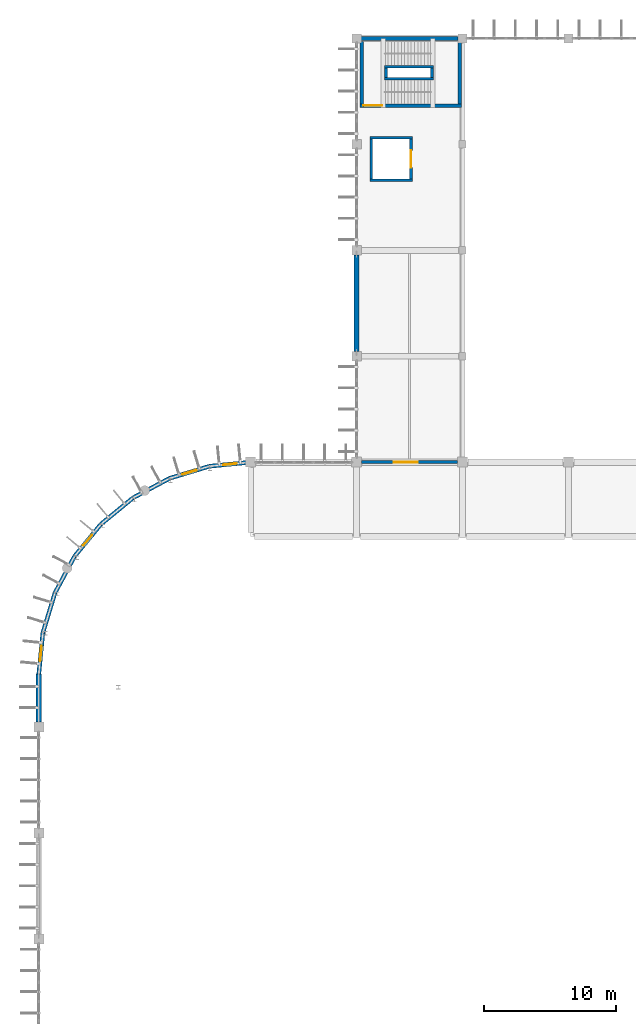
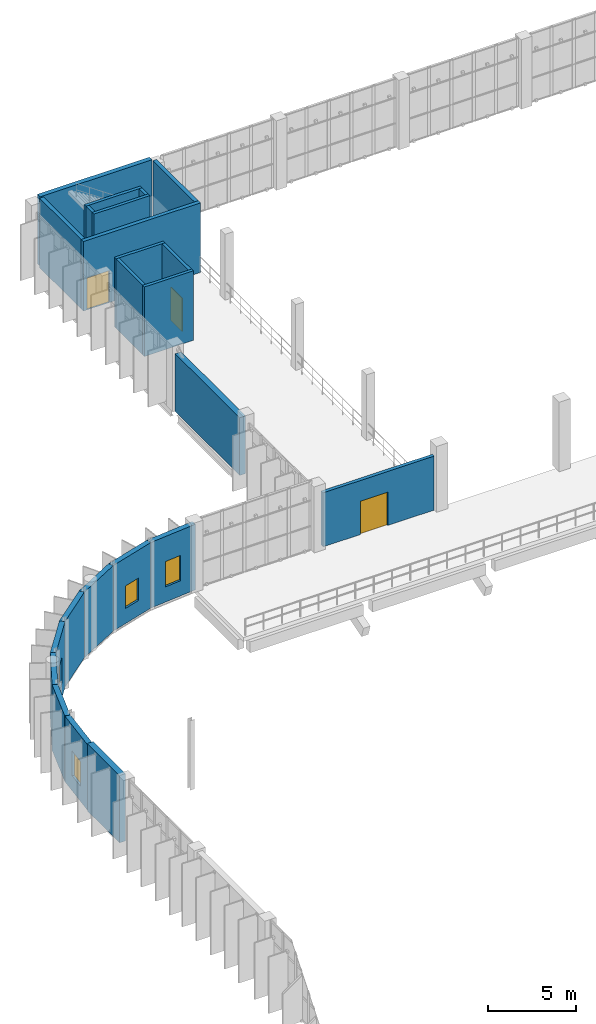
# One storey, part 71 of 93: 23 walls, 4 windows, 3 doors, 7 openings.
"""IFC4 building model written with IfcOpenShell, lengths in metres."""

import ifcopenshell
import ifcopenshell.guid

model = None  # the IFC model being written
_history = None  # IfcOwnerHistory: only IFC2X3 demands one
_inside = {}  # id of a spatial element -> (the spatial element, [elements in it])
_under = {}  # id of a project, library or spatial element -> (it, [spatial elements below it])
_declared = {}  # id of a project -> (the project, [libraries it declares])
_typed = {}  # id of a type object -> (the type object, [elements of that type])
_made_of = {}  # id of a material, layer set ... -> (it, [elements and type objects made of it])


def new_model(schema):
    """Start an empty IFC model of exactly this schema.

    Asked for "IFC4X3", IfcOpenShell would pick the latest addendum, in which some entities
    have other attributes; the version numbers below select the first issue.
    IFC2X3 requires an IfcOwnerHistory on every rooted entity: one is made here for all.
    """
    global model, _history
    if schema == "IFC4X3":
        model = ifcopenshell.file(schema_version=(4, 3, 0, 0))
    else:
        model = ifcopenshell.file(schema=schema)
    _inside.clear()
    _under.clear()
    _declared.clear()
    _typed.clear()
    _made_of.clear()
    _history = None
    if model.schema == "IFC2X3":
        org = make("IfcOrganization", Name="unknown")
        user = make(
            "IfcPersonAndOrganization",
            ThePerson=make("IfcPerson", FamilyName="unknown"),
            TheOrganization=org,
        )
        app = make(
            "IfcApplication",
            ApplicationDeveloper=org,
            Version="unknown",
            ApplicationFullName="unknown",
            ApplicationIdentifier="unknown",
        )
        _history = make(
            "IfcOwnerHistory",
            OwningUser=user,
            OwningApplication=app,
            ChangeAction="ADDED",
            CreationDate=0,
        )
    return model


def make(cls, **values):
    """One entity of the class cls with the attributes given. An attribute that is None is left unset."""
    return model.create_entity(
        cls, **{name: value for name, value in values.items() if value is not None}
    )


def rooted(cls, **values):
    """An entity with a GlobalId (a new one), such as an element, a storey or a relation."""
    return make(cls, GlobalId=ifcopenshell.guid.new(), OwnerHistory=_history, **values)


def si_unit(unit_type, name, prefix=None):
    """IfcSIUnit, for example si_unit("LENGTHUNIT", "METRE", prefix="MILLI")."""
    return make("IfcSIUnit", UnitType=unit_type, Prefix=prefix, Name=name)


def assignment(units):
    """IfcUnitAssignment: the units of a project."""
    return None if units is None else make("IfcUnitAssignment", Units=units)


def point(xyz):
    """IfcCartesianPoint."""
    return None if xyz is None else make("IfcCartesianPoint", Coordinates=xyz)


def direction(xyz):
    """IfcDirection."""
    return None if xyz is None else make("IfcDirection", DirectionRatios=xyz)


def frame(location, z_axis=None, x_axis=None):
    """IfcAxis2Placement3D, a coordinate frame: its origin and axes. An axis left out is left unset."""
    return make(
        "IfcAxis2Placement3D",
        Location=point(location),
        Axis=direction(z_axis),
        RefDirection=direction(x_axis),
    )


def frame_2d(location, x_axis=None):
    """IfcAxis2Placement2D, a coordinate frame in the plane: its origin and x axis."""
    return make(
        "IfcAxis2Placement2D", Location=point(location), RefDirection=direction(x_axis)
    )


def origin():
    """The frame at (0, 0, 0) with its axes left unset."""
    return frame((0.0, 0.0, 0.0))


def place(relative_to, where):
    """IfcLocalPlacement: puts the frame where relative to a parent placement (None: the world)."""
    return make(
        "IfcLocalPlacement", PlacementRelTo=relative_to, RelativePlacement=where
    )


def context(
    kind, dimensions, precision=None, world=None, true_north=None, identifier=None
):
    """IfcGeometricRepresentationContext, for example the 3D "Model" context."""
    return make(
        "IfcGeometricRepresentationContext",
        ContextIdentifier=identifier,
        ContextType=kind,
        CoordinateSpaceDimension=dimensions,
        Precision=precision,
        WorldCoordinateSystem=world,
        TrueNorth=true_north,
    )


def subcontext(parent, identifier, kind, view, scale=None):
    """IfcGeometricRepresentationSubContext, for example "Body" below "Model"."""
    return make(
        "IfcGeometricRepresentationSubContext",
        ContextIdentifier=identifier,
        ContextType=kind,
        ParentContext=parent,
        TargetScale=scale,
        TargetView=view,
    )


def project(units=None, contexts=None):
    """IfcProject with its units and contexts."""
    return rooted(
        "IfcProject",
        Name="project",
        RepresentationContexts=contexts,
        UnitsInContext=assignment(units),
    )


def spatial(cls, under=None, at=None, **own):
    """A site, building, storey or space (cls), placed at a placement, below another one or the project."""
    s = rooted(cls, ObjectPlacement=at, **own)
    if under is not None:
        _under.setdefault(under.id(), (under, []))[1].append(s)
    return s


def profile(cls, at=None, kind="AREA", **sizes):
    """A parametric profile (cls). Its sizes go by their IFC names, for example OverallWidth=200.0."""
    return make(cls, ProfileType=kind, Position=at, **sizes)


def rectangle(**sizes):
    """IfcRectangleProfileDef."""
    return profile("IfcRectangleProfileDef", **sizes)


def extrude(swept, where, along, depth):
    """IfcExtrudedAreaSolid: the profile swept, set in the frame where, extruded along a direction by depth."""
    return make(
        "IfcExtrudedAreaSolid",
        SweptArea=swept,
        Position=where,
        ExtrudedDirection=direction(along),
        Depth=depth,
    )


def shape(context_of_items, identifier, shape_type, items):
    """IfcShapeRepresentation: the items that make up one representation, for example the "Body"."""
    return make(
        "IfcShapeRepresentation",
        ContextOfItems=context_of_items,
        RepresentationIdentifier=identifier,
        RepresentationType=shape_type,
        Items=items,
    )


def material(Name=None, Category=None):
    """IfcMaterial."""
    return make("IfcMaterial", Name=Name, Category=Category)


def layer(
    of_material, thickness, ventilated=None, Name=None, Category=None, Priority=None
):
    """IfcMaterialLayer: one layer of a wall or slab, of a material (None: an air gap)."""
    return make(
        "IfcMaterialLayer",
        Material=of_material,
        LayerThickness=thickness,
        IsVentilated=ventilated,
        Name=Name,
        Category=Category,
        Priority=Priority,
    )


def layer_set(layers, Name=None):
    """IfcMaterialLayerSet."""
    return make("IfcMaterialLayerSet", MaterialLayers=layers, LayerSetName=Name)


def made_of(thing, what):
    """Note that an element or type object is made of a material, layer set ...; save() writes the relation."""
    if what is not None:
        _made_of.setdefault(what.id(), (what, []))[1].append(thing)
    return thing


def type_object(cls, material=None, **own):
    """A type object (cls), such as IfcWallType, which elements share."""
    return made_of(rooted(cls, **own), material)


def element(
    cls,
    number,
    at=None,
    inside=None,
    cuts=None,
    type_object=None,
    material=None,
    context=None,
    identifier="Body",
    shape_type=None,
    held_by="IfcProductDefinitionShape",
    body=None,
    shapes=None,
    **own,
):
    """One element of the class cls, such as IfcWall. Its Tag is "e" and its number.

    at: its placement. inside: the storey or other place that contains it. cuts: it is an
    opening in that element (IfcRelVoidsElement). A single representation is given by context,
    identifier, shape_type and body (its items); several are given by shapes. held_by: the class
    of the entity that holds the representations. save() writes the other relations.
    """
    e = rooted(cls, Tag="e%d" % number, ObjectPlacement=at, **own)
    if body is not None:
        shapes = [shape(context, identifier, shape_type, body)]
    if shapes is not None:
        e.Representation = make(held_by, Representations=shapes)
    if inside is not None:
        _inside.setdefault(inside.id(), (inside, []))[1].append(e)
    if cuts is not None:
        rooted(
            "IfcRelVoidsElement", RelatingBuildingElement=cuts, RelatedOpeningElement=e
        )
    if type_object is not None:
        _typed.setdefault(type_object.id(), (type_object, []))[1].append(e)
    return made_of(e, material)


def fill(opening, filler):
    """IfcRelFillsElement: the door or window that sits in an opening."""
    return rooted(
        "IfcRelFillsElement",
        RelatingOpeningElement=opening,
        RelatedBuildingElement=filler,
    )


def aggregate(whole, parts):
    """IfcRelAggregates: a whole, such as a stair, and the parts it consists of."""
    return rooted("IfcRelAggregates", RelatingObject=whole, RelatedObjects=parts)


def save(model, path):
    """Write the relations noted so far, then the file.

    IfcRelAggregates (storeys below a building ...), IfcRelContainedInSpatialStructure (elements
    in a storey), IfcRelDefinesByType, IfcRelAssociatesMaterial and IfcRelDeclares: one each for
    every whole, place, type object, material and project.
    """
    for whole, parts in _under.values():
        aggregate(whole, parts)
    for where, things in _inside.values():
        rooted(
            "IfcRelContainedInSpatialStructure",
            RelatedElements=things,
            RelatingStructure=where,
        )
    for kind, things in _typed.values():
        rooted("IfcRelDefinesByType", RelatedObjects=things, RelatingType=kind)
    for what, things in _made_of.values():
        rooted("IfcRelAssociatesMaterial", RelatedObjects=things, RelatingMaterial=what)
    for by, libraries in _declared.values():
        rooted("IfcRelDeclares", RelatingContext=by, RelatedDefinitions=libraries)
    model.write(path)


model = new_model("IFC4")

# Units and contexts
model_context = context("Model", 3, precision=1e-05, world=origin(), true_north=direction((0.0, 1.0)))
body_context = subcontext(model_context, "Body", "Model", "MODEL_VIEW")
ifc_project = project(units=[si_unit("LENGTHUNIT", "METRE"), si_unit("AREAUNIT", "SQUARE_METRE"), si_unit("VOLUMEUNIT", "CUBIC_METRE"), si_unit("PLANEANGLEUNIT", "RADIAN"), si_unit("MASSUNIT", "GRAM", prefix="KILO")], contexts=[model_context])

# Site, building, storey
site_placement = place(None, origin())
site = spatial("IfcSite", under=ifc_project, at=site_placement, CompositionType="ELEMENT")
building_placement = place(site_placement, origin())
building = spatial("IfcBuilding", under=site, at=building_placement, Name="Drelvana Railside Aquatics Centre", CompositionType="ELEMENT")
storey_placement = place(building_placement, frame((0.0, 0.0, 5.39990234375)))
storey = spatial("IfcBuildingStorey", under=building, at=storey_placement, Name="L01", CompositionType="ELEMENT", Elevation=5.39990234375)

# Wall, opening, door
ifc_material_1 = material(Name="Autoclaved aerated concrete masonry", Category="masonry")
ifc_layer_1 = layer(ifc_material_1, 0.22509765625, Name="Autoclaved aerated concrete masonry")
ifc_layer_set_1 = layer_set([ifc_layer_1], Name="Autoclaved aerated concrete masonry")
wall_type_1 = type_object("IfcWallType", Name="WL-COMP-225", PredefinedType="STANDARD", material=ifc_layer_set_1)
wall_1_placement = place(storey_placement, frame((24.376953125, 84.0, 0.0), z_axis=(0.0, 0.0, 1.0), x_axis=(1.0, 0.0, 0.0)))
wall_1 = element("IfcWall", 1, at=wall_1_placement, inside=storey, type_object=wall_type_1, Name="L01 Diving gallery compartment wall", PredefinedType="STANDARD", context=body_context, shape_type="SweptSolid", body=[
    extrude(rectangle(XDim=7.24609375, YDim=0.22509765625, at=frame_2d((3.623046875, 0.0))), origin(), (0.0, 0.0, 1.0), 3.72998046875),
])
opening_1_placement = place(wall_1_placement, frame((2.423095703125, 0.0, 0.0)))
opening_1 = element("IfcOpeningElement", 2, at=opening_1_placement, cuts=wall_1, Name="Opening D-05-098", PredefinedType="OPENING", context=body_context, shape_type="SweptSolid", body=[
    extrude(rectangle(XDim=1.800048828125, YDim=2.300048828125, at=frame_2d((0.89990234375, 1.14990234375))), frame((0.0, 0.12255859375, 0.0), z_axis=(0.0, -1.0, 0.0), x_axis=(1.0, 0.0, 0.0)), (0.0, 0.0, 1.0), 0.2451171875),
])
ifc_material_2 = material(Name="Corridor compartment double door", Category="wood")
door_type_1 = type_object("IfcDoorType", Name="DR-INT-COMP-1800x2300", OperationType="DOUBLE_DOOR_SINGLE_SWING", PredefinedType="DOOR", material=ifc_material_2)
door_1_placement = place(opening_1_placement, origin())
door_1 = element("IfcDoor", 3, at=door_1_placement, inside=storey, type_object=door_type_1, Name="Diving spectator gallery link door D-05-098", OperationType="DOUBLE_DOOR_SINGLE_SWING", OverallHeight=2.300048828125, OverallWidth=1.800048828125, PredefinedType="DOOR", context=body_context, shape_type="SweptSolid", body=[
    extrude(rectangle(XDim=1.800048828125, YDim=2.300048828125, at=frame_2d((0.89990234375, 1.14990234375))), frame((0.0, 0.02490234375, 0.0), z_axis=(0.0, -1.0, 0.0), x_axis=(1.0, 0.0, 0.0)), (0.0, 0.0, 1.0), 0.050048828125),
])
fill(opening_1, door_1)

ifc_material_3 = material(Name="Concrete C40/50", Category="concrete")
ifc_layer_2 = layer(ifc_material_3, 0.25, Name="Concrete C40/50")
ifc_layer_set_2 = layer_set([ifc_layer_2], Name="Concrete C40/50")
wall_type_2 = type_object("IfcWallType", Name="WL-CORE-250", PredefinedType="SHEAR", material=ifc_layer_set_2)
wall_2_placement = place(storey_placement, frame((24.25, 110.925048828125, 0.0), z_axis=(0.0, 0.0, 1.0), x_axis=(1.0, 0.0, 0.0)))
wall_2 = element("IfcWall", 4, at=wall_2_placement, inside=storey, type_object=wall_type_2, Name="Core 3 North Diving Hall S core wall (L01)", PredefinedType="SHEAR", context=body_context, shape_type="SweptSolid", body=[
    extrude(rectangle(XDim=7.64990234375, YDim=0.25, at=frame_2d((3.824951171875, 0.0))), origin(), (0.0, 0.0, 1.0), 4.800048828125),
])
opening_2_placement = place(wall_2_placement, frame((0.25, 0.0, 0.0)))
opening_2 = element("IfcOpeningElement", 5, at=opening_2_placement, cuts=wall_2, Name="Opening D-01-019", PredefinedType="OPENING", context=body_context, shape_type="SweptSolid", body=[
    extrude(rectangle(XDim=1.449951171875, YDim=2.199951171875, at=frame_2d((0.72509765625, 1.10009765625))), frame((0.0, 0.135009765625, 0.0), z_axis=(0.0, -1.0, 0.0), x_axis=(1.0, 0.0, 0.0)), (0.0, 0.0, 1.0), 0.27001953125),
])
ifc_material_4 = material(Name="Fire-rated steel and vision-panel door", Category="steel")
door_type_2 = type_object("IfcDoorType", Name="DR-INT-STAIR-1450x2200", OperationType="DOUBLE_DOOR_SINGLE_SWING", PredefinedType="DOOR", material=ifc_material_4)
door_2_placement = place(opening_2_placement, origin())
door_2 = element("IfcDoor", 6, at=door_2_placement, inside=storey, type_object=door_type_2, Name="Stair ST-03 lobby door D-01-019", OperationType="DOUBLE_DOOR_SINGLE_SWING", OverallHeight=2.199951171875, OverallWidth=1.449951171875, PredefinedType="DOOR", context=body_context, shape_type="SweptSolid", body=[
    extrude(rectangle(XDim=1.449951171875, YDim=2.199951171875, at=frame_2d((0.72509765625, 1.10009765625))), frame((0.0, 0.02490234375, 0.0), z_axis=(0.0, -1.0, 0.0), x_axis=(1.0, 0.0, 0.0)), (0.0, 0.0, 1.0), 0.050048828125),
])
fill(opening_2, door_2)

# Walls
for number, where, z_axis, x_axis, name in (
    (7, (24.375, 111.050048828125, 0.0), (0.0, 0.0, 1.0), (0.0, 1.0, 0.0), "Core 3 North Diving Hall W core wall (L01)"),
    (8, (31.77490234375, 111.050048828125, 0.0), (0.0, 0.0, 1.0), (0.0, 1.0, 0.0), "Core 3 North Diving Hall E core wall (L01)"),
):
    element("IfcWall", number, at=place(storey_placement, frame(where, z_axis=z_axis, x_axis=x_axis)), inside=storey, type_object=wall_type_2, Name=name, PredefinedType="SHEAR", context=body_context, shape_type="SweptSolid", body=[
        extrude(rectangle(XDim=4.699951171875, YDim=0.25, at=frame_2d((2.35009765625, 0.0))), origin(), (0.0, 0.0, 1.0), 4.800048828125),
    ])
ifc_layer_3 = layer(ifc_material_3, 0.300048828125, Name="Concrete C40/50")
ifc_layer_set_3 = layer_set([ifc_layer_3], Name="Concrete C40/50")
wall_type_3 = type_object("IfcWallType", Name="WL-CORE-300", PredefinedType="SHEAR", material=ifc_layer_set_3)
wall_3_placement = place(storey_placement, frame((24.345947265625, 116.0, 0.0), z_axis=(0.0, 0.0, 1.0), x_axis=(1.0, 0.0, 0.0)))
element("IfcWall", 9, at=wall_3_placement, inside=storey, type_object=wall_type_3, Name="Core 3 north L01 shear wall", PredefinedType="SHEAR", context=body_context, shape_type="SweptSolid", body=[
    extrude(rectangle(XDim=7.30810546875, YDim=0.300048828125, at=frame_2d((3.654052734375, 0.0))), origin(), (0.0, 0.0, 1.0), 4.800048828125),
])

# Wall, opening, window
ifc_material_5 = material(Name="Abuja granite ashlar cavity wall", Category="masonry")
ifc_layer_4 = layer(ifc_material_5, 0.330078125, Name="Abuja granite ashlar cavity wall")
ifc_layer_set_4 = layer_set([ifc_layer_4], Name="Abuja granite ashlar cavity wall")
wall_type_4 = type_object("IfcWallType", Name="WL-EXT-330", PredefinedType="STANDARD", material=ifc_layer_set_4)
wall_4_placement = place(storey_placement, frame((16.0, 84.0, 0.0), z_axis=(0.0, 0.0, 1.0), x_axis=(-0.995186340733, -0.098000751113, 0.0)))
wall_4 = element("IfcWall", 10, at=wall_4_placement, inside=storey, type_object=wall_type_4, Name="V1NW curved stone wall 1", PredefinedType="STANDARD", context=body_context, shape_type="SweptSolid", body=[
    extrude(rectangle(XDim=3.136474609375, YDim=0.330078125, at=frame_2d((1.568359375, 0.0))), origin(), (0.0, 0.0, 1.0), 4.530029296875),
])
opening_3_placement = place(wall_4_placement, frame((1.043212890625, 0.0, 1.050048828125)))
opening_3 = element("IfcOpeningElement", 11, at=opening_3_placement, cuts=wall_4, Name="Opening W-05", PredefinedType="OPENING", context=body_context, shape_type="SweptSolid", body=[
    extrude(rectangle(XDim=1.050048828125, YDim=1.75, at=frame_2d((0.52490234375, 0.875))), frame((0.0, 0.175048828125, 0.0), z_axis=(0.0, -1.0, 0.0), x_axis=(1.0, 0.0, 0.0)), (0.0, 0.0, 1.0), 0.35009765625),
])
ifc_material_6 = material(Name="Double-glazed solar-control aluminium window", Category="aluminium")
window_type_1 = type_object("IfcWindowType", Name="WIN-05", PartitioningType="SINGLE_PANEL", PredefinedType="WINDOW", material=ifc_material_6)
window_1_placement = place(opening_3_placement, origin())
window_1 = element("IfcWindow", 12, at=window_1_placement, inside=storey, type_object=window_type_1, Name="Curved corner window WIN-05", OverallHeight=1.75, OverallWidth=1.050048828125, PartitioningType="SINGLE_PANEL", PredefinedType="WINDOW", context=body_context, shape_type="SweptSolid", body=[
    extrude(rectangle(XDim=1.050048828125, YDim=1.75, at=frame_2d((0.52490234375, 0.875))), frame((0.0, 0.030029296875, 0.0), z_axis=(0.0, -1.0, 0.0), x_axis=(1.0, 0.0, 0.0)), (0.0, 0.0, 1.0), 0.06005859375),
])
fill(opening_3, window_1)

wall_5_placement = place(storey_placement, frame((12.878662109375, 83.692626953125, 0.0), z_axis=(0.0, 0.0, 1.0), x_axis=(-0.956932713703, -0.29030980253, 0.0)))
wall_5 = element("IfcWall", 13, at=wall_5_placement, inside=storey, type_object=wall_type_4, Name="V1NW curved stone wall 2", PredefinedType="STANDARD", context=body_context, shape_type="SweptSolid", body=[
    extrude(rectangle(XDim=3.13671875, YDim=0.330078125, at=frame_2d((1.568359375, 0.0))), origin(), (0.0, 0.0, 1.0), 4.530029296875),
])
opening_4_placement = place(wall_5_placement, frame((1.018310546875, 0.0, 1.050048828125)))
opening_4 = element("IfcOpeningElement", 14, at=opening_4_placement, cuts=wall_5, Name="Opening W-06", PredefinedType="OPENING", context=body_context, shape_type="SweptSolid", body=[
    extrude(rectangle(XDim=1.10009765625, YDim=1.550048828125, at=frame_2d((0.550048828125, 0.77490234375))), frame((0.0, 0.175048828125, 0.0), z_axis=(0.0, -1.0, 0.0), x_axis=(1.0, 0.0, 0.0)), (0.0, 0.0, 1.0), 0.35009765625),
])
window_type_2 = type_object("IfcWindowType", Name="WIN-06", PartitioningType="SINGLE_PANEL", PredefinedType="WINDOW", material=ifc_material_6)
window_2_placement = place(opening_4_placement, origin())
window_2 = element("IfcWindow", 15, at=window_2_placement, inside=storey, type_object=window_type_2, Name="Curved corner window WIN-06", OverallHeight=1.550048828125, OverallWidth=1.10009765625, PartitioningType="SINGLE_PANEL", PredefinedType="WINDOW", context=body_context, shape_type="SweptSolid", body=[
    extrude(rectangle(XDim=1.10009765625, YDim=1.550048828125, at=frame_2d((0.550048828125, 0.77490234375))), frame((0.0, 0.030029296875, 0.0), z_axis=(0.0, -1.0, 0.0), x_axis=(1.0, 0.0, 0.0)), (0.0, 0.0, 1.0), 0.06005859375),
])
fill(opening_4, window_2)

# Walls
for number, where, z_axis, x_axis, name in (
    (16, (9.876953125, 82.781982421875, 0.0), (0.0, 0.0, 1.0), (-0.881921625826, -0.471396060548, 0.0), "V1NW curved stone wall 3"),
    (17, (7.11083984375, 81.303466796875, 0.0), (0.0, 0.0, 1.0), (-0.773016601683, -0.634385792339, 0.0), "V1NW curved stone wall 4"),
):
    element("IfcWall", number, at=place(storey_placement, frame(where, z_axis=z_axis, x_axis=x_axis)), inside=storey, type_object=wall_type_4, Name=name, PredefinedType="STANDARD", context=body_context, shape_type="SweptSolid", body=[
        extrude(rectangle(XDim=3.136474609375, YDim=0.330078125, at=frame_2d((1.568359375, 0.0))), origin(), (0.0, 0.0, 1.0), 4.530029296875),
    ])

# Wall, opening, window
wall_6_placement = place(storey_placement, frame((4.686279296875, 79.313720703125, 0.0), z_axis=(0.0, 0.0, 1.0), x_axis=(-0.634385792339, -0.773016601683, 0.0)))
wall_6 = element("IfcWall", 18, at=wall_6_placement, inside=storey, type_object=wall_type_4, Name="V1NW curved stone wall 5", PredefinedType="STANDARD", context=body_context, shape_type="SweptSolid", body=[
    extrude(rectangle(XDim=3.136474609375, YDim=0.330078125, at=frame_2d((1.568359375, 0.0))), origin(), (0.0, 0.0, 1.0), 4.530029296875),
])
opening_5_placement = place(wall_6_placement, frame((1.043212890625, 0.0, 1.050048828125)))
opening_5 = element("IfcOpeningElement", 19, at=opening_5_placement, cuts=wall_6, Name="Opening W-05", PredefinedType="OPENING", context=body_context, shape_type="SweptSolid", body=[
    extrude(rectangle(XDim=1.050048828125, YDim=1.75, at=frame_2d((0.52490234375, 0.875))), frame((0.0, 0.175048828125, 0.0), z_axis=(0.0, -1.0, 0.0), x_axis=(1.0, 0.0, 0.0)), (0.0, 0.0, 1.0), 0.35009765625),
])
window_3_placement = place(opening_5_placement, origin())
window_3 = element("IfcWindow", 20, at=window_3_placement, inside=storey, type_object=window_type_1, Name="Curved corner window WIN-05", OverallHeight=1.75, OverallWidth=1.050048828125, PartitioningType="SINGLE_PANEL", PredefinedType="WINDOW", context=body_context, shape_type="SweptSolid", body=[
    extrude(rectangle(XDim=1.050048828125, YDim=1.75, at=frame_2d((0.52490234375, 0.875))), frame((0.0, 0.030029296875, 0.0), z_axis=(0.0, -1.0, 0.0), x_axis=(1.0, 0.0, 0.0)), (0.0, 0.0, 1.0), 0.06005859375),
])
fill(opening_5, window_3)

# Walls
wall_7_placement = place(storey_placement, frame((2.696533203125, 76.88916015625, 0.0), z_axis=(0.0, 0.0, 1.0), x_axis=(-0.471396060548, -0.881921625826, 0.0)))
element("IfcWall", 21, at=wall_7_placement, inside=storey, type_object=wall_type_4, Name="V1NW curved stone wall 6", PredefinedType="STANDARD", context=body_context, shape_type="SweptSolid", body=[
    extrude(rectangle(XDim=3.136474609375, YDim=0.330078125, at=frame_2d((1.568359375, 0.0))), origin(), (0.0, 0.0, 1.0), 4.530029296875),
])
wall_8_placement = place(storey_placement, frame((1.218017578125, 74.123046875, 0.0), z_axis=(0.0, 0.0, 1.0), x_axis=(-0.29030980253, -0.956932713703, 0.0)))
element("IfcWall", 22, at=wall_8_placement, inside=storey, type_object=wall_type_4, Name="V1NW curved stone wall 7", PredefinedType="STANDARD", context=body_context, shape_type="SweptSolid", body=[
    extrude(rectangle(XDim=3.13671875, YDim=0.330078125, at=frame_2d((1.568359375, 0.0))), origin(), (0.0, 0.0, 1.0), 4.530029296875),
])

# Wall, opening, window
wall_9_placement = place(storey_placement, frame((0.307373046875, 71.121337890625, 0.0), z_axis=(0.0, 0.0, 1.0), x_axis=(-0.098000751113, -0.995186340733, 0.0)))
wall_9 = element("IfcWall", 23, at=wall_9_placement, inside=storey, type_object=wall_type_4, Name="V1NW curved stone wall 8", PredefinedType="STANDARD", context=body_context, shape_type="SweptSolid", body=[
    extrude(rectangle(XDim=3.136474609375, YDim=0.330078125, at=frame_2d((1.568359375, 0.0))), origin(), (0.0, 0.0, 1.0), 4.530029296875),
])
opening_6_placement = place(wall_9_placement, frame((0.993408203125, 0.0, 1.050048828125)))
opening_6 = element("IfcOpeningElement", 24, at=opening_6_placement, cuts=wall_9, Name="Opening W-08", PredefinedType="OPENING", context=body_context, shape_type="SweptSolid", body=[
    extrude(rectangle(XDim=1.14990234375, YDim=1.699951171875, at=frame_2d((0.574951171875, 0.85009765625))), frame((0.0, 0.175048828125, 0.0), z_axis=(0.0, -1.0, 0.0), x_axis=(1.0, 0.0, 0.0)), (0.0, 0.0, 1.0), 0.35009765625),
])
window_type_3 = type_object("IfcWindowType", Name="WIN-08", PartitioningType="SINGLE_PANEL", PredefinedType="WINDOW", material=ifc_material_6)
window_4_placement = place(opening_6_placement, origin())
window_4 = element("IfcWindow", 25, at=window_4_placement, inside=storey, type_object=window_type_3, Name="Curved corner window WIN-08", OverallHeight=1.699951171875, OverallWidth=1.14990234375, PartitioningType="SINGLE_PANEL", PredefinedType="WINDOW", context=body_context, shape_type="SweptSolid", body=[
    extrude(rectangle(XDim=1.14990234375, YDim=1.699951171875, at=frame_2d((0.574951171875, 0.85009765625))), frame((0.0, 0.030029296875, 0.0), z_axis=(0.0, -1.0, 0.0), x_axis=(1.0, 0.0, 0.0)), (0.0, 0.0, 1.0), 0.06005859375),
])
fill(opening_6, window_4)

# Walls
ifc_material_7 = material(Name="Heavy thermal-mass stone facade wall", Category="masonry")
ifc_layer_5 = layer(ifc_material_7, 0.389892578125, Name="Heavy thermal-mass stone facade wall")
ifc_layer_set_5 = layer_set([ifc_layer_5], Name="Heavy thermal-mass stone facade wall")
wall_type_5 = type_object("IfcWallType", Name="WL-EXT-390", PredefinedType="STANDARD", material=ifc_layer_set_5)
wall_10_placement = place(storey_placement, frame((0.0, 64.37109375, 0.0), z_axis=(0.0, 0.0, 1.0), x_axis=(0.0, 1.0, 0.0)))
element("IfcWall", 26, at=wall_10_placement, inside=storey, type_object=wall_type_5, Name="V1 West solid masonry bay 64", PredefinedType="STANDARD", context=body_context, shape_type="SweptSolid", body=[
    extrude(rectangle(XDim=3.64892578125, YDim=0.389892578125, at=frame_2d((1.824462890625, 0.0))), origin(), (0.0, 0.0, 1.0), 4.650146484375),
])
wall_11_placement = place(storey_placement, frame((24.0, 92.345947265625, 0.0), z_axis=(0.0, 0.0, 1.0), x_axis=(0.0, 1.0, 0.0)))
element("IfcWall", 27, at=wall_11_placement, inside=storey, type_object=wall_type_5, Name="Diving Hall West braced bay wall", PredefinedType="STANDARD", context=body_context, shape_type="SweptSolid", body=[
    extrude(rectangle(XDim=7.30810546875, YDim=0.389892578125, at=frame_2d((3.654052734375, 0.0))), origin(), (0.0, 0.0, 1.0), 3.97998046875),
])
ifc_layer_6 = layer(ifc_material_3, 0.199951171875, Name="Concrete C40/50")
ifc_layer_set_6 = layer_set([ifc_layer_6], Name="Concrete C40/50")
wall_type_6 = type_object("IfcWallType", Name="WL-SHFT-200", PredefinedType="SHEAR", material=ifc_layer_set_6)
for number, where, z_axis, x_axis, name in (
    (28, (26.1201171875, 112.949951171875, 0.0), (0.0, 0.0, 1.0), (1.0, 0.0, 0.0), "Stair ST-03 central spine wall A (L01)"),
    (29, (26.1201171875, 113.85009765625, 0.0), (0.0, 0.0, 1.0), (1.0, 0.0, 0.0), "Stair ST-03 central spine wall B (L01)"),
):
    element("IfcWall", number, at=place(storey_placement, frame(where, z_axis=z_axis, x_axis=x_axis)), inside=storey, type_object=wall_type_6, Name=name, PredefinedType="SHEAR", context=body_context, shape_type="SweptSolid", body=[
        extrude(rectangle(XDim=3.669921875, YDim=0.199951171875, at=frame_2d((1.8349609375, 0.0))), origin(), (0.0, 0.0, 1.0), 4.800048828125),
    ])
for number, where, z_axis, x_axis, name in (
    (30, (26.219970703125, 113.050048828125, 0.0), (0.0, 0.0, 1.0), (0.0, 1.0, 0.0), "Stair ST-03 central spine wall W (L01)"),
    (31, (29.68994140625, 113.050048828125, 0.0), (0.0, 0.0, 1.0), (0.0, 1.0, 0.0), "Stair ST-03 central spine wall E (L01)"),
):
    element("IfcWall", number, at=place(storey_placement, frame(where, z_axis=z_axis, x_axis=x_axis)), inside=storey, type_object=wall_type_6, Name=name, PredefinedType="SHEAR", context=body_context, shape_type="SweptSolid", body=[
        extrude(rectangle(XDim=0.699951171875, YDim=0.199951171875, at=frame_2d((0.35009765625, 0.0))), origin(), (0.0, 0.0, 1.0), 4.800048828125),
    ])
for number, where, z_axis, x_axis, name in (
    (32, (25.0, 105.300048828125, 0.0), (0.0, 0.0, 1.0), (1.0, 0.0, 0.0), "Lift LG-01 S shaft wall (L01)"),
    (33, (25.0, 108.5, 0.0), (0.0, 0.0, 1.0), (1.0, 0.0, 0.0), "Lift LG-01 N shaft wall (L01)"),
):
    element("IfcWall", number, at=place(storey_placement, frame(where, z_axis=z_axis, x_axis=x_axis)), inside=storey, type_object=wall_type_6, Name=name, PredefinedType="SHEAR", context=body_context, shape_type="SweptSolid", body=[
        extrude(rectangle(XDim=3.199951171875, YDim=0.199951171875, at=frame_2d((1.60009765625, 0.0))), origin(), (0.0, 0.0, 1.0), 4.800048828125),
    ])
wall_12_placement = place(storey_placement, frame((25.10009765625, 105.39990234375, 0.0), z_axis=(0.0, 0.0, 1.0), x_axis=(0.0, 1.0, 0.0)))
element("IfcWall", 34, at=wall_12_placement, inside=storey, type_object=wall_type_6, Name="Lift LG-01 W shaft wall (L01)", PredefinedType="SHEAR", context=body_context, shape_type="SweptSolid", body=[
    extrude(rectangle(XDim=3.0, YDim=0.199951171875, at=frame_2d((1.5, 0.0))), origin(), (0.0, 0.0, 1.0), 4.800048828125),
])

# Wall, opening, door
wall_13_placement = place(storey_placement, frame((28.10009765625, 105.39990234375, 0.0), z_axis=(0.0, 0.0, 1.0), x_axis=(0.0, 1.0, 0.0)))
wall_13 = element("IfcWall", 35, at=wall_13_placement, inside=storey, type_object=wall_type_6, Name="Lift LG-01 E shaft wall (L01)", PredefinedType="SHEAR", context=body_context, shape_type="SweptSolid", body=[
    extrude(rectangle(XDim=3.0, YDim=0.199951171875, at=frame_2d((1.5, 0.0))), origin(), (0.0, 0.0, 1.0), 4.800048828125),
])
opening_7_placement = place(wall_13_placement, frame((0.85009765625, 0.0, 0.0)))
opening_7 = element("IfcOpeningElement", 36, at=opening_7_placement, cuts=wall_13, Name="Opening LD-02-023", PredefinedType="OPENING", context=body_context, shape_type="SweptSolid", body=[
    extrude(rectangle(XDim=1.300048828125, YDim=2.300048828125, at=frame_2d((0.64990234375, 1.14990234375))), frame((0.0, 0.10986328125, 0.0), z_axis=(0.0, -1.0, 0.0), x_axis=(1.0, 0.0, 0.0)), (0.0, 0.0, 1.0), 0.219970703125),
])
ifc_material_8 = material(Name="Firefighting & goods lift sliding door", Category="wood")
door_type_3 = type_object("IfcDoorType", Name="DR-LIFT-LD-1300x2300", OperationType="SLIDING_TO_RIGHT", PredefinedType="DOOR", material=ifc_material_8)
door_3_placement = place(opening_7_placement, origin())
door_3 = element("IfcDoor", 37, at=door_3_placement, inside=storey, type_object=door_type_3, Name="Lift LG-01 landing door LD-02-023", OperationType="SLIDING_TO_RIGHT", OverallHeight=2.300048828125, OverallWidth=1.300048828125, PredefinedType="DOOR", context=body_context, shape_type="SweptSolid", body=[
    extrude(rectangle(XDim=1.300048828125, YDim=2.300048828125, at=frame_2d((0.64990234375, 1.14990234375))), frame((0.0, 0.02490234375, 0.0), z_axis=(0.0, -1.0, 0.0), x_axis=(1.0, 0.0, 0.0)), (0.0, 0.0, 1.0), 0.050048828125),
])
fill(opening_7, door_3)

save(model, "model.ifc")
